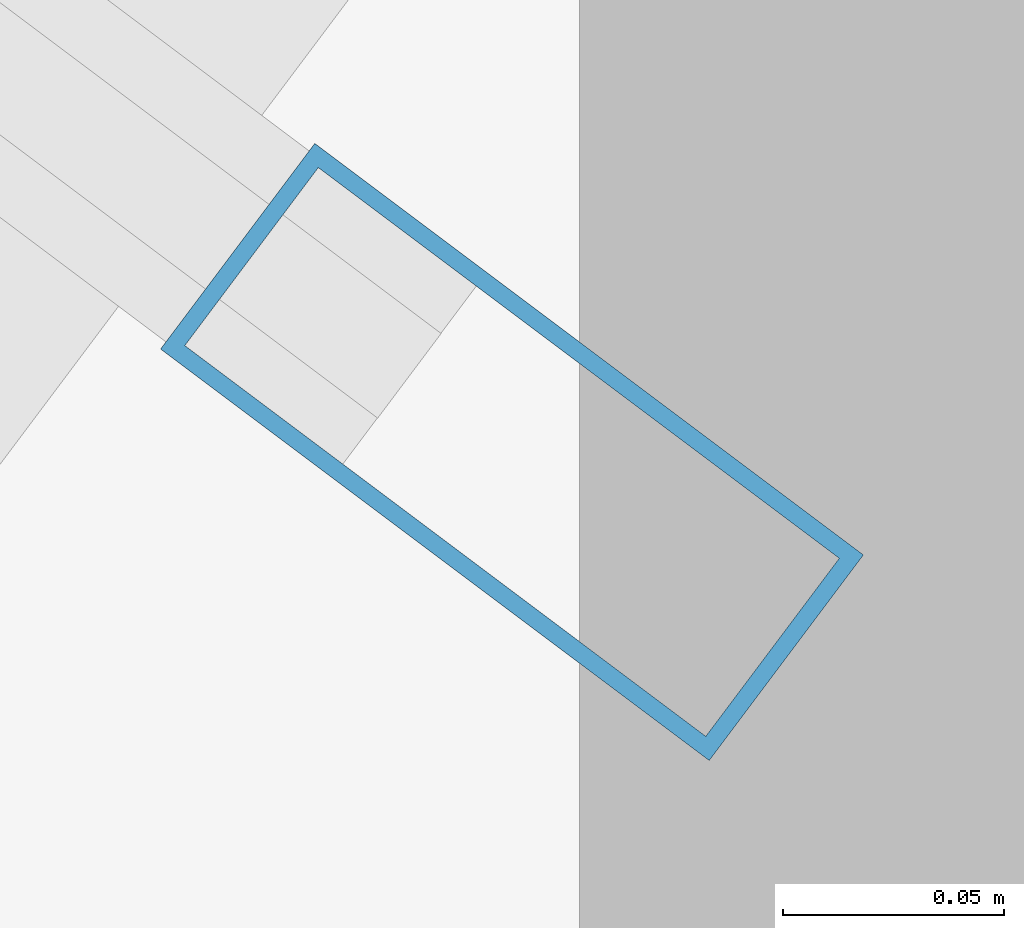
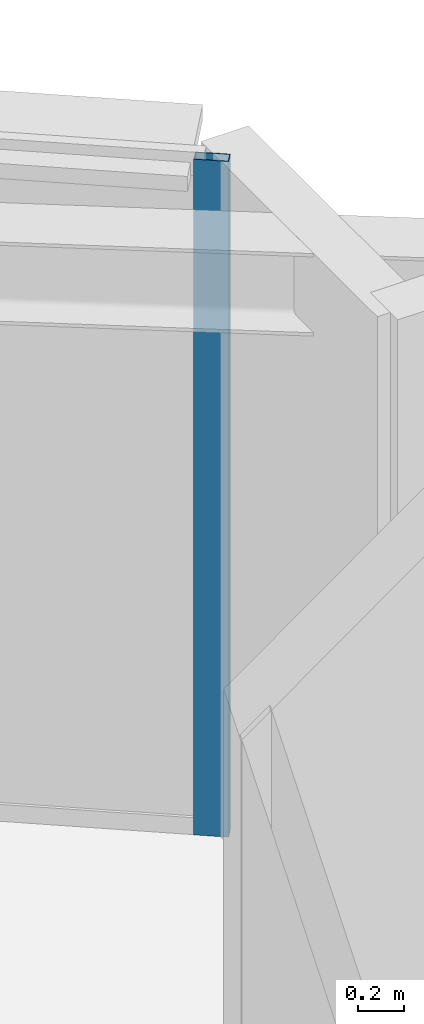
# One storey, part 5 of 14: 1 member, 1 element without a shape of its own.
"""IFC4 building model written with IfcOpenShell, lengths in metres."""

from ifc_helpers import new_model, si_unit, direction, frame, origin, origin_2d, place, context, subcontext, project, spatial, hollow_rectangle, extrude, material, layer, layer_set, material_profile, profile_set, type_object, element, aggregate, save


model = new_model("IFC4")

# Units and contexts
model_context = context("Model", 3, precision=1e-05, world=origin(), true_north=direction((0.0, 1.0)))
body_context = subcontext(model_context, "Body", "Model", "MODEL_VIEW")
ifc_project = project(units=[si_unit("LENGTHUNIT", "METRE"), si_unit("AREAUNIT", "SQUARE_METRE"), si_unit("VOLUMEUNIT", "CUBIC_METRE"), si_unit("PLANEANGLEUNIT", "RADIAN"), si_unit("MASSUNIT", "GRAM", prefix="KILO")], contexts=[model_context])

# Site, building, storey
site_placement = place(None, origin())
site = spatial("IfcSite", under=ifc_project, at=site_placement, CompositionType="ELEMENT")
building_placement = place(site_placement, origin())
building = spatial("IfcBuilding", under=site, at=building_placement, Name="Haolan Belvedere Tower", CompositionType="ELEMENT")
storey_placement = place(building_placement, frame((0.0, 0.0, 148.60009765625)))
storey = spatial("IfcBuildingStorey", under=building, at=storey_placement, Name="L37", CompositionType="ELEMENT", Elevation=148.60009765625)

# Curtain wall, member
ifc_material_1 = material(Name="Anodised champagne-silver aluminium 6063-T6 and Low-E glass", Category="aluminium")
ifc_layer = layer(ifc_material_1, 0.155029296875, Name="Anodised champagne-silver aluminium 6063-T6 and Low-E glass")
ifc_layer_set = layer_set([ifc_layer], Name="Anodised champagne-silver aluminium 6063-T6 and Low-E glass")
curtain_wall_type = type_object("IfcCurtainWallType", Name="CW-SYS-03", PredefinedType="NOTDEFINED", material=ifc_layer_set)
curtain_wall_placement = place(storey_placement, origin())
curtain_wall = element("IfcCurtainWall", 1, at=curtain_wall_placement, inside=storey, type_object=curtain_wall_type, Name="L37 CW-SYS-03 ribbon curtain wall 26.1", PredefinedType="NOTDEFINED")
ifc_material_2 = material(Name="Anodised aluminium 6063-T6", Category="aluminium")
ifc_material_profile = material_profile(ifc_material_2, hollow_rectangle(XDim=0.05810546875, YDim=0.155029296875, WallThickness=0.00390625, at=origin_2d()), Name="Anodised aluminium 6063-T6")
ifc_profile_set = profile_set([ifc_material_profile], Name="Anodised aluminium 6063-T6")
member_type = type_object("IfcMemberType", Name="CW-SYS-03-MUL", PredefinedType="MULLION", material=ifc_profile_set)
member_placement = place(storey_placement, frame((50.144775390625, 48.04150390625, 0.0), z_axis=(0.0, 0.0, 1.0), x_axis=(-0.599994316874, -0.800004262313, 0.0)))
member = element("IfcMember", 2, at=member_placement, type_object=member_type, Name="CW-03 mullion 1", PredefinedType="MULLION", context=body_context, shape_type="SweptSolid", body=[
    extrude(hollow_rectangle(XDim=0.05810546875, YDim=0.155029296875, WallThickness=0.00390625, at=origin_2d()), origin(), (0.0, 0.0, 1.0), 3.599853515625),
])
aggregate(curtain_wall, [member])

save(model, "model.ifc")
